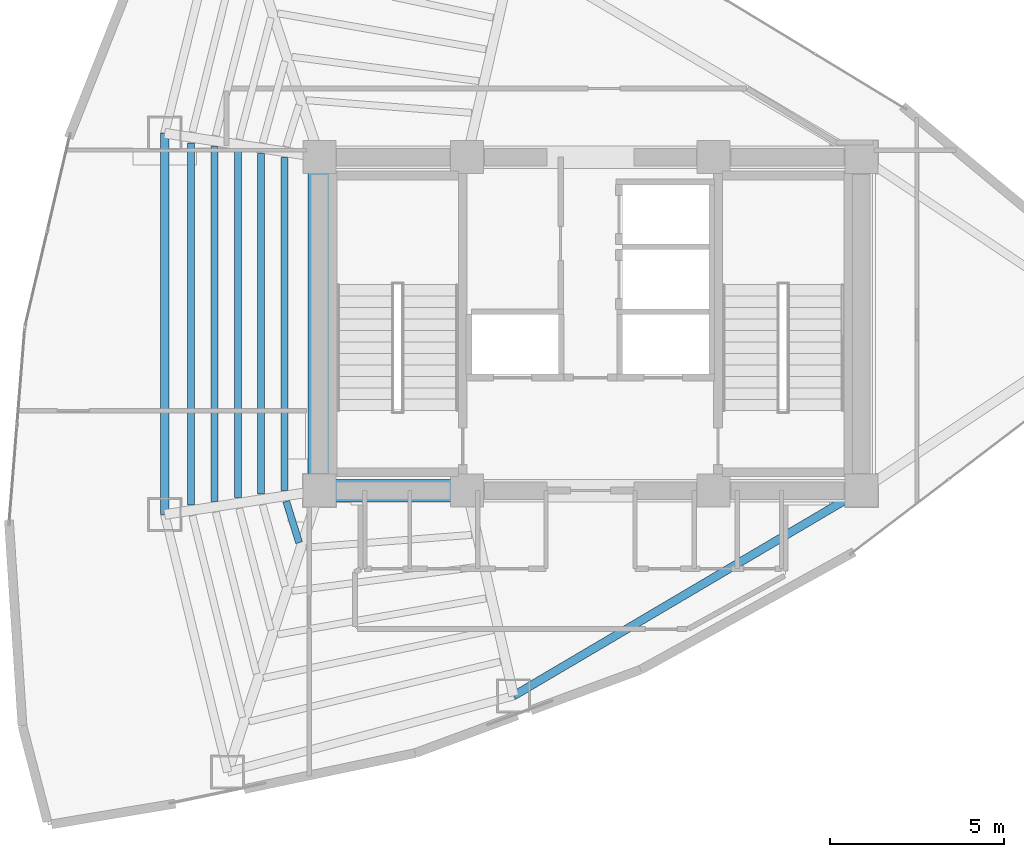
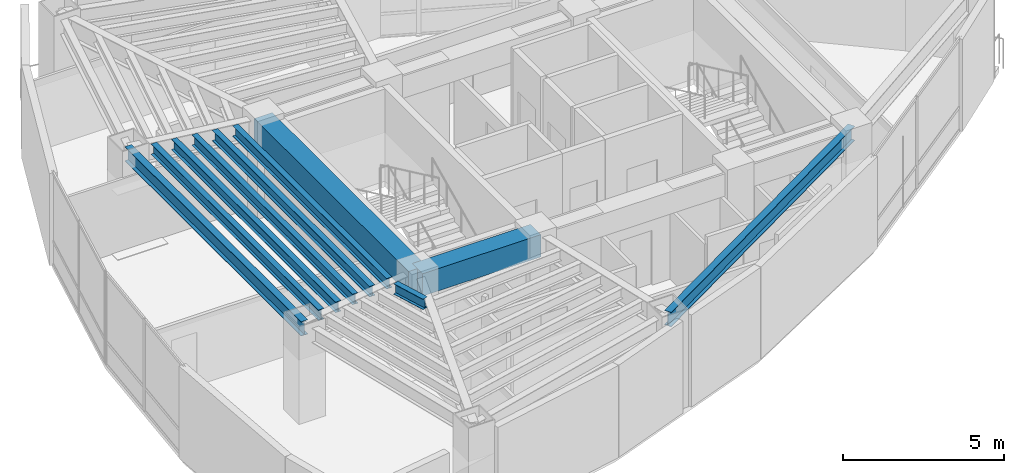
# One storey, part 3 of 15: 10 beams.
"""IFC4 building model written with IfcOpenShell, lengths in metres."""

from ifc_helpers import new_model, si_unit, direction, frame, origin, origin_2d, place, context, subcontext, project, spatial, rectangle, i_section, extrude, material, material_profile, profile_set, type_object, element, save


model = new_model("IFC4")

# Units and contexts
model_context = context("Model", 3, precision=1e-05, world=origin(), true_north=direction((0.0, 1.0)))
body_context = subcontext(model_context, "Body", "Model", "MODEL_VIEW")
ifc_project = project(units=[si_unit("LENGTHUNIT", "METRE"), si_unit("AREAUNIT", "SQUARE_METRE"), si_unit("VOLUMEUNIT", "CUBIC_METRE"), si_unit("PLANEANGLEUNIT", "RADIAN"), si_unit("MASSUNIT", "GRAM", prefix="KILO")], contexts=[model_context])

# Site, building, storey
site_placement = place(None, origin())
site = spatial("IfcSite", under=ifc_project, at=site_placement, CompositionType="ELEMENT")
building_placement = place(site_placement, origin())
building = spatial("IfcBuilding", under=site, at=building_placement, Name="Menara Vayukalpa", CompositionType="ELEMENT")
storey_placement = place(building_placement, frame((0.0, 0.0, 180.360107421875)))
storey = spatial("IfcBuildingStorey", under=building, at=storey_placement, Name="L45", CompositionType="ELEMENT", Elevation=180.360107421875)

# Beams
ifc_material_1 = material(Name="Concrete C60/75", Category="concrete")
ifc_material_profile_1 = material_profile(ifc_material_1, rectangle(XDim=0.64990234375, YDim=0.85009765625, at=origin_2d()), Name="RC 650x850")
ifc_profile_set_1 = profile_set([ifc_material_profile_1], Name="Concrete C60/75")
beam_type_1 = type_object("IfcBeamType", Name="BM-CB1", PredefinedType="BEAM", material=ifc_profile_set_1)
beam_1_placement = place(storey_placement, frame((17.800048828125, 17.199951171875, 3.074951171875), z_axis=(1.0, 0.0, 0.0), x_axis=(0.0, 1.0, 0.0)))
element("IfcBeam", 1, at=beam_1_placement, inside=storey, type_object=beam_type_1, Name="L45 Core Tie Beam CBR1", PredefinedType="BEAM", context=body_context, shape_type="SweptSolid", body=[
    extrude(rectangle(XDim=0.64990234375, YDim=0.85009765625, at=origin_2d()), origin(), (0.0, 0.0, 1.0), 4.25),
])
beam_2_placement = place(storey_placement, frame((17.800048828125, 17.199951171875, 3.074951171875), z_axis=(0.0, 1.0, 0.0), x_axis=(-1.0, 0.0, 0.0)))
element("IfcBeam", 2, at=beam_2_placement, inside=storey, type_object=beam_type_1, Name="L45 Core Tie Beam CBR7", PredefinedType="BEAM", context=body_context, shape_type="SweptSolid", body=[
    extrude(rectangle(XDim=0.64990234375, YDim=0.85009765625, at=origin_2d()), origin(), (0.0, 0.0, 1.0), 9.60009765625),
])
ifc_material_2 = material(Name="Steel S355", Category="steel")
ifc_material_profile_2 = material_profile(ifc_material_2, i_section(OverallWidth=0.199951171875, OverallDepth=0.39990234375, WebThickness=0.008056640625, FlangeThickness=0.012939453125, at=origin_2d()), Name="WF 400x200x8x13")
ifc_profile_set_2 = profile_set([ifc_material_profile_2], Name="Steel S355")
beam_type_2 = type_object("IfcBeamType", Name="BM-SJ2", PredefinedType="JOIST", material=ifc_profile_set_2)
beam_3_placement = place(storey_placement, frame((16.79541015625, 26.79541015625, 3.2998046875), z_axis=(0.0, -1.0, 0.0), x_axis=(1.0, 0.0, 0.0)))
element("IfcBeam", 3, at=beam_3_placement, inside=storey, type_object=beam_type_2, Name="L45 Secondary Floor Joist SJ05-1", PredefinedType="JOIST", context=body_context, shape_type="SweptSolid", body=[
    extrude(i_section(OverallWidth=0.199951171875, OverallDepth=0.39990234375, WebThickness=0.008056640625, FlangeThickness=0.012939453125, at=origin_2d()), origin(), (0.0, 0.0, 1.0), 9.5908203125),
])
beam_4_placement = place(storey_placement, frame((16.121826171875, 26.8994140625, 3.2998046875), z_axis=(0.0, -1.0, 0.0), x_axis=(1.0, 0.0, 0.0)))
element("IfcBeam", 4, at=beam_4_placement, inside=storey, type_object=beam_type_2, Name="L45 Secondary Floor Joist SJ05-2", PredefinedType="JOIST", context=body_context, shape_type="SweptSolid", body=[
    extrude(i_section(OverallWidth=0.199951171875, OverallDepth=0.39990234375, WebThickness=0.008056640625, FlangeThickness=0.012939453125, at=origin_2d()), origin(), (0.0, 0.0, 1.0), 9.798828125),
])
beam_5_placement = place(storey_placement, frame((15.448486328125, 27.003662109375, 3.2998046875), z_axis=(0.0, -1.0, 0.0), x_axis=(1.0, 0.0, 0.0)))
element("IfcBeam", 5, at=beam_5_placement, inside=storey, type_object=beam_type_2, Name="L45 Secondary Floor Joist SJ05-3", PredefinedType="JOIST", context=body_context, shape_type="SweptSolid", body=[
    extrude(i_section(OverallWidth=0.199951171875, OverallDepth=0.39990234375, WebThickness=0.008056640625, FlangeThickness=0.012939453125, at=origin_2d()), origin(), (0.0, 0.0, 1.0), 10.00732421875),
])
beam_6_placement = place(storey_placement, frame((14.77490234375, 27.10791015625, 3.2998046875), z_axis=(0.0, -1.0, 0.0), x_axis=(1.0, 0.0, 0.0)))
element("IfcBeam", 6, at=beam_6_placement, inside=storey, type_object=beam_type_2, Name="L45 Secondary Floor Joist SJ05-4", PredefinedType="JOIST", context=body_context, shape_type="SweptSolid", body=[
    extrude(i_section(OverallWidth=0.199951171875, OverallDepth=0.39990234375, WebThickness=0.008056640625, FlangeThickness=0.012939453125, at=origin_2d()), origin(), (0.0, 0.0, 1.0), 10.2158203125),
])
beam_7_placement = place(storey_placement, frame((14.1015625, 27.2119140625, 3.2998046875), z_axis=(0.0, -1.0, 0.0), x_axis=(1.0, 0.0, 0.0)))
element("IfcBeam", 7, at=beam_7_placement, inside=storey, type_object=beam_type_2, Name="L45 Secondary Floor Joist SJ05-5", PredefinedType="JOIST", context=body_context, shape_type="SweptSolid", body=[
    extrude(i_section(OverallWidth=0.199951171875, OverallDepth=0.39990234375, WebThickness=0.008056640625, FlangeThickness=0.012939453125, at=origin_2d()), origin(), (0.0, 0.0, 1.0), 10.423828125),
])
beam_8_placement = place(storey_placement, frame((16.8427734375, 16.891845703125, 3.2998046875), z_axis=(0.296448419226, -0.955048865105, 0.0), x_axis=(0.955048865105, 0.296448419226, 0.0)))
element("IfcBeam", 8, at=beam_8_placement, inside=storey, type_object=beam_type_2, Name="L45 Secondary Floor Joist SJ06-1", PredefinedType="JOIST", context=body_context, shape_type="SweptSolid", body=[
    extrude(i_section(OverallWidth=0.199951171875, OverallDepth=0.39990234375, WebThickness=0.008056640625, FlangeThickness=0.012939453125, at=origin_2d()), origin(), (0.0, 0.0, 1.0), 1.24853515625),
])
ifc_material_3 = material(Name="Steel S355", Category="steel")
ifc_material_profile_3 = material_profile(ifc_material_3, i_section(OverallWidth=0.239990234375, OverallDepth=0.550048828125, WebThickness=0.010986328125, FlangeThickness=0.01904296875, at=origin_2d()), Name="WF 550x240x11x19")
ifc_profile_set_3 = profile_set([ifc_material_profile_3], Name="Steel S355")
beam_type_3 = type_object("IfcBeamType", Name="BM-SP2", PredefinedType="SPANDREL", material=ifc_profile_set_3)
beam_9_placement = place(storey_placement, frame((13.343994140625, 27.4892578125, 3.224853515625), z_axis=(0.0, -1.0, 0.0), x_axis=(1.0, 0.0, 0.0)))
element("IfcBeam", 9, at=beam_9_placement, inside=storey, type_object=beam_type_3, Name="L45 Perimeter Spandrel Beam SP05", PredefinedType="SPANDREL", context=body_context, shape_type="SweptSolid", body=[
    extrude(i_section(OverallWidth=0.239990234375, OverallDepth=0.550048828125, WebThickness=0.010986328125, FlangeThickness=0.01904296875, at=origin_2d()), origin(), (0.0, 0.0, 1.0), 10.978515625),
])
beam_10_placement = place(storey_placement, frame((23.389404296875, 11.29150390625, 3.224853515625), z_axis=(0.861184403346, 0.508292655302, 0.0), x_axis=(-0.508292655302, 0.861184403346, 0.0)))
element("IfcBeam", 10, at=beam_10_placement, inside=storey, type_object=beam_type_3, Name="L45 Perimeter Spandrel Beam SP08", PredefinedType="SPANDREL", context=body_context, shape_type="SweptSolid", body=[
    extrude(i_section(OverallWidth=0.239990234375, OverallDepth=0.550048828125, WebThickness=0.010986328125, FlangeThickness=0.01904296875, at=origin_2d()), origin(), (0.0, 0.0, 1.0), 11.6240234375),
])

save(model, "model.ifc")
